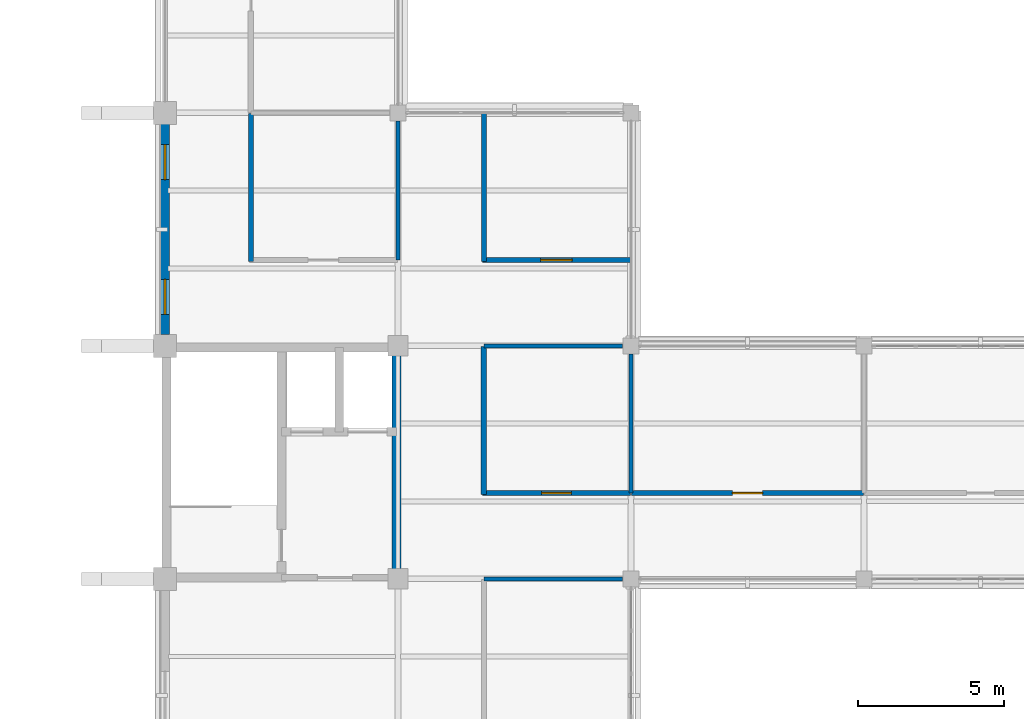
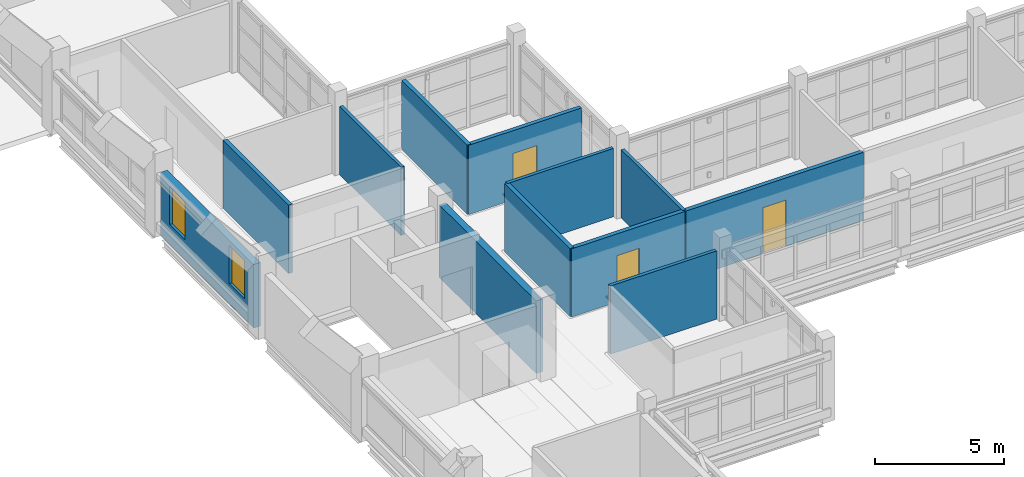
# One storey, part 67 of 92: 12 walls, 3 doors, 2 windows, 5 openings.
"""IFC4 building model written with IfcOpenShell, lengths in metres."""

from ifc_helpers import new_model, si_unit, derived_unit, direction, frame, frame_2d, origin, place, context, subcontext, project, spatial, rectangle, extrude, material, layer, layer_set, type_object, element, fill, save


model = new_model("IFC4")

# Units and contexts
model_context = context("Model", 3, precision=1e-05, world=origin(), true_north=direction((0.0, 1.0)))
body_context = subcontext(model_context, "Body", "Model", "MODEL_VIEW")
ifc_project = project(units=[si_unit("LENGTHUNIT", "METRE"), si_unit("AREAUNIT", "SQUARE_METRE"), si_unit("VOLUMEUNIT", "CUBIC_METRE"), si_unit("PLANEANGLEUNIT", "RADIAN"), si_unit("MASSUNIT", "GRAM", prefix="KILO"), derived_unit("THERMALTRANSMITTANCEUNIT", [(si_unit("MASSUNIT", "GRAM", prefix="KILO"), 1), (si_unit("TIMEUNIT", "SECOND"), -3), (si_unit("THERMODYNAMICTEMPERATUREUNIT", "KELVIN"), -1)])], contexts=[model_context])

# Site, building, storey
site_placement = place(None, origin())
site = spatial("IfcSite", under=ifc_project, at=site_placement, CompositionType="ELEMENT")
building_placement = place(site_placement, origin())
building = spatial("IfcBuilding", under=site, at=building_placement, Name="Veyamyaing Civic Hall", CompositionType="ELEMENT")
storey_placement = place(building_placement, frame((0.0, 0.0, 17.820068359375)))
storey = spatial("IfcBuildingStorey", under=building, at=storey_placement, Name="L04", CompositionType="ELEMENT", Elevation=17.820068359375)

# Wall, openings, windows
ifc_material_1 = material(Name="Precast concrete C40/50", Category="concrete")
ifc_layer_1 = layer(ifc_material_1, 0.304931640625, Name="Precast concrete C40/50")
ifc_layer_set_1 = layer_set([ifc_layer_1], Name="Precast concrete C40/50")
wall_type_1 = type_object("IfcWallType", Name="WT-03", PredefinedType="SOLIDWALL", material=ifc_layer_set_1)
wall_1_placement = place(storey_placement, frame((104.0, 56.385009765625, 0.0), z_axis=(0.0, 0.0, 1.0), x_axis=(0.0, 1.0, 0.0)))
wall_1 = element("IfcWall", 1, at=wall_1_placement, inside=storey, type_object=wall_type_1, Name="Exterior facade wall WT-03 L04 W 14.8", PredefinedType="SOLIDWALL", context=body_context, shape_type="SweptSolid", body=[
    extrude(rectangle(XDim=7.22998046875, YDim=0.304931640625, at=frame_2d((3.614990234375, 0.0))), origin(), (0.0, 0.0, 1.0), 3.001953125),
])
opening_1_placement = place(wall_1_placement, frame((0.701416015625, 0.0, 0.949951171875)))
opening_1 = element("IfcOpeningElement", 2, at=opening_1_placement, cuts=wall_1, Name="Opening W-14", PredefinedType="OPENING", context=body_context, shape_type="SweptSolid", body=[
    extrude(rectangle(XDim=1.199951171875, YDim=1.800048828125, at=frame_2d((0.60009765625, 0.89990234375))), frame((0.0, 0.162353515625, 0.0), z_axis=(0.0, -1.0, 0.0), x_axis=(1.0, 0.0, 0.0)), (0.0, 0.0, 1.0), 0.324951171875),
])
opening_2_placement = place(wall_1_placement, frame((5.32861328125, 0.0, 0.949951171875)))
opening_2 = element("IfcOpeningElement", 3, at=opening_2_placement, cuts=wall_1, Name="Opening W-14", PredefinedType="OPENING", context=body_context, shape_type="SweptSolid", body=[
    extrude(rectangle(XDim=1.199951171875, YDim=1.800048828125, at=frame_2d((0.60009765625, 0.89990234375))), frame((0.0, 0.162353515625, 0.0), z_axis=(0.0, -1.0, 0.0), x_axis=(1.0, 0.0, 0.0)), (0.0, 0.0, 1.0), 0.324951171875),
])
ifc_material_2 = material(Name="Low-E insulated glass", Category="glass")
window_type = type_object("IfcWindowType", Name="W-14", PartitioningType="SINGLE_PANEL", PredefinedType="WINDOW", material=ifc_material_2)
window_1_placement = place(opening_1_placement, origin())
window_1 = element("IfcWindow", 4, at=window_1_placement, inside=storey, type_object=window_type, Name="Facade window W-14 L04 W 14.8.1", OverallHeight=1.800048828125, OverallWidth=1.199951171875, PartitioningType="SINGLE_PANEL", PredefinedType="WINDOW", context=body_context, shape_type="SweptSolid", body=[
    extrude(rectangle(XDim=1.199951171875, YDim=1.800048828125, at=frame_2d((0.60009765625, 0.89990234375))), frame((0.0, 0.030029296875, 0.0), z_axis=(0.0, -1.0, 0.0), x_axis=(1.0, 0.0, 0.0)), (0.0, 0.0, 1.0), 0.06005859375),
])
fill(opening_1, window_1)
window_2_placement = place(opening_2_placement, origin())
window_2 = element("IfcWindow", 5, at=window_2_placement, inside=storey, type_object=window_type, Name="Facade window W-14 L04 W 14.8.2", OverallHeight=1.800048828125, OverallWidth=1.199951171875, PartitioningType="SINGLE_PANEL", PredefinedType="WINDOW", context=body_context, shape_type="SweptSolid", body=[
    extrude(rectangle(XDim=1.199951171875, YDim=1.800048828125, at=frame_2d((0.60009765625, 0.89990234375))), frame((0.0, 0.030029296875, 0.0), z_axis=(0.0, -1.0, 0.0), x_axis=(1.0, 0.0, 0.0)), (0.0, 0.0, 1.0), 0.06005859375),
])
fill(opening_2, window_2)

# Walls
ifc_material_3 = material(Name="Concrete C40/50", Category="concrete")
ifc_layer_2 = layer(ifc_material_3, 0.300048828125, Name="Concrete C40/50")
ifc_layer_set_2 = layer_set([ifc_layer_2], Name="Concrete C40/50")
wall_type_2 = type_object("IfcWallType", Name="WT-05", PredefinedType="SHEAR", material=ifc_layer_set_2)
wall_2_placement = place(storey_placement, frame((111.949951171875, 48.239990234375, 0.0), z_axis=(0.0, 0.0, 1.0), x_axis=(0.0, 1.0, 0.0)))
element("IfcWall", 6, at=wall_2_placement, inside=storey, type_object=wall_type_2, Name="Core shear wall WT-05 CORE-6 L04.E", PredefinedType="SHEAR", context=body_context, shape_type="SweptSolid", body=[
    extrude(rectangle(XDim=7.52001953125, YDim=0.300048828125, at=frame_2d((3.760009765625, 0.0))), origin(), (0.0, 0.0, 1.0), 3.43701171875),
])
ifc_material_4 = material(Name="Gypsum board on acoustic steel stud", Category="steel")
ifc_layer_3 = layer(ifc_material_4, 0.175048828125, Name="Gypsum board on acoustic steel stud")
ifc_layer_set_3 = layer_set([ifc_layer_3], Name="Gypsum board on acoustic steel stud")
wall_type_3 = type_object("IfcWallType", Name="WT-07", PredefinedType="PARTITIONING", material=ifc_layer_set_3)
wall_3_placement = place(storey_placement, frame((106.949951171875, 58.89990234375, 0.0), z_axis=(0.0, 0.0, 1.0), x_axis=(0.0, 1.0, 0.0)))
element("IfcWall", 7, at=wall_3_placement, inside=storey, type_object=wall_type_3, Name="Corridor gallery partition WT-07 L04.25.2", PredefinedType="PARTITIONING", context=body_context, shape_type="SweptSolid", body=[
    extrude(rectangle(XDim=5.080078125, YDim=0.175048828125, at=frame_2d((2.5400390625, 0.0))), origin(), (0.0, 0.0, 1.0), 3.238037109375),
])

# Wall, opening, door
wall_4_placement = place(storey_placement, frame((114.89990234375, 58.949951171875, 0.0), z_axis=(0.0, 0.0, 1.0), x_axis=(1.0, 0.0, 0.0)))
wall_4 = element("IfcWall", 8, at=wall_4_placement, inside=storey, type_object=wall_type_3, Name="Corridor gallery partition WT-07 L04.29.1", PredefinedType="PARTITIONING", context=body_context, shape_type="SweptSolid", body=[
    extrude(rectangle(XDim=5.080078125, YDim=0.175048828125, at=frame_2d((2.5400390625, 0.0))), origin(), (0.0, 0.0, 1.0), 3.281982421875),
])
opening_3_placement = place(wall_4_placement, frame((2.0, 0.0, 0.0)))
opening_3 = element("IfcOpeningElement", 9, at=opening_3_placement, cuts=wall_4, Name="Opening D-23", PredefinedType="OPENING", context=body_context, shape_type="SweptSolid", body=[
    extrude(rectangle(XDim=1.080078125, YDim=2.199951171875, at=frame_2d((0.5400390625, 1.10009765625))), frame((0.0, 0.097412109375, 0.0), z_axis=(0.0, -1.0, 0.0), x_axis=(1.0, 0.0, 0.0)), (0.0, 0.0, 1.0), 0.195068359375),
])
ifc_material_5 = material(Name="Teak-veneered acoustic timber", Category="wood")
door_type_1 = type_object("IfcDoorType", Name="D-23", OperationType="NOTDEFINED", PredefinedType="DOOR", material=ifc_material_5)
door_1_placement = place(opening_3_placement, origin())
door_1 = element("IfcDoor", 10, at=door_1_placement, inside=storey, type_object=door_type_1, Name="Gallery office door D-23 L04.29", OperationType="SINGLE_SWING_RIGHT", OverallHeight=2.199951171875, OverallWidth=1.080078125, PredefinedType="DOOR", context=body_context, shape_type="SweptSolid", body=[
    extrude(rectangle(XDim=1.080078125, YDim=2.199951171875, at=frame_2d((0.5400390625, 1.10009765625))), frame((0.0, 0.02490234375, 0.0), z_axis=(0.0, -1.0, 0.0), x_axis=(1.0, 0.0, 0.0)), (0.0, 0.0, 1.0), 0.050048828125),
])
fill(opening_3, door_1)

# Walls
wall_5_placement = place(storey_placement, frame((114.949951171875, 58.89990234375, 0.0), z_axis=(0.0, 0.0, 1.0), x_axis=(0.0, 1.0, 0.0)))
element("IfcWall", 11, at=wall_5_placement, inside=storey, type_object=wall_type_3, Name="Corridor gallery partition WT-07 L04.29.2", PredefinedType="PARTITIONING", context=body_context, shape_type="SweptSolid", body=[
    extrude(rectangle(XDim=5.080078125, YDim=0.175048828125, at=frame_2d((2.5400390625, 0.0))), origin(), (0.0, 0.0, 1.0), 3.281982421875),
])
ifc_material_6 = material(Name="Gypsum board on steel stud", Category="steel")
ifc_layer_4 = layer(ifc_material_6, 0.14990234375, Name="Gypsum board on steel stud")
ifc_layer_set_4 = layer_set([ifc_layer_4], Name="Gypsum board on steel stud")
wall_type_4 = type_object("IfcWallType", Name="WT-08", PredefinedType="PARTITIONING", material=ifc_layer_set_4)
for number, where, z_axis, x_axis, name in (
    (12, (112.0, 58.949951171875, 0.0), (0.0, 0.0, 1.0), (0.0, 1.0, 0.0), "Gallery office end partition WT-08 L04.25.2"),
    (13, (114.949951171875, 48.0, 0.0), (0.0, 0.0, 1.0), (1.0, 0.0, 0.0), "Gallery office end partition WT-08 L04.27.1"),
):
    element("IfcWall", number, at=place(storey_placement, frame(where, z_axis=z_axis, x_axis=x_axis)), inside=storey, type_object=wall_type_4, Name=name, PredefinedType="PARTITIONING", context=body_context, shape_type="SweptSolid", body=[
        extrude(rectangle(XDim=4.76513671875, YDim=0.14990234375, at=frame_2d((2.382568359375, 0.0))), origin(), (0.0, 0.0, 1.0), 3.23193359375),
    ])
wall_6_placement = place(storey_placement, frame((114.949951171875, 56.0, 0.0), z_axis=(0.0, 0.0, 1.0), x_axis=(1.0, 0.0, 0.0)))
element("IfcWall", 14, at=wall_6_placement, inside=storey, type_object=wall_type_4, Name="Gallery office end partition WT-08 L04.28.1", PredefinedType="PARTITIONING", context=body_context, shape_type="SweptSolid", body=[
    extrude(rectangle(XDim=4.76513671875, YDim=0.14990234375, at=frame_2d((2.382568359375, 0.0))), origin(), (0.0, 0.0, 1.0), 3.238037109375),
])
wall_7_placement = place(storey_placement, frame((120.0, 50.949951171875, 0.0), z_axis=(0.0, 0.0, 1.0), x_axis=(0.0, 1.0, 0.0)))
element("IfcWall", 15, at=wall_7_placement, inside=storey, type_object=wall_type_4, Name="Gallery office end partition WT-08 L04.28.2", PredefinedType="PARTITIONING", context=body_context, shape_type="SweptSolid", body=[
    extrude(rectangle(XDim=4.76513671875, YDim=0.14990234375, at=frame_2d((2.382568359375, 0.0))), origin(), (0.0, 0.0, 1.0), 3.23193359375),
])

# Wall, opening, door
ifc_material_7 = material(Name="Gypsum board on double acoustic stud")
ifc_layer_5 = layer(ifc_material_7, 0.18505859375, Name="Gypsum board on double acoustic stud")
ifc_layer_set_5 = layer_set([ifc_layer_5], Name="Gypsum board on double acoustic stud")
wall_type_5 = type_object("IfcWallType", Name="WT-19", PredefinedType="PARTITIONING", material=ifc_layer_set_5)
wall_8_placement = place(storey_placement, frame((114.89990234375, 50.949951171875, 0.0), z_axis=(0.0, 0.0, 1.0), x_axis=(1.0, 0.0, 0.0)))
wall_8 = element("IfcWall", 16, at=wall_8_placement, inside=storey, type_object=wall_type_5, Name="Corridor gallery partition WT-19 L04.28.1", PredefinedType="PARTITIONING", context=body_context, shape_type="SweptSolid", body=[
    extrude(rectangle(XDim=5.080078125, YDim=0.18505859375, at=frame_2d((2.5400390625, 0.0))), origin(), (0.0, 0.0, 1.0), 3.23193359375),
])
opening_4_placement = place(wall_8_placement, frame((2.030029296875, 0.0, 0.0)))
opening_4 = element("IfcOpeningElement", 17, at=opening_4_placement, cuts=wall_8, Name="Opening D-19", PredefinedType="OPENING", context=body_context, shape_type="SweptSolid", body=[
    extrude(rectangle(XDim=1.02001953125, YDim=2.199951171875, at=frame_2d((0.510009765625, 1.10009765625))), frame((0.0, 0.1025390625, 0.0), z_axis=(0.0, -1.0, 0.0), x_axis=(1.0, 0.0, 0.0)), (0.0, 0.0, 1.0), 0.205078125),
])
door_type_2 = type_object("IfcDoorType", Name="D-19", OperationType="NOTDEFINED", PredefinedType="DOOR", material=ifc_material_5)
door_2_placement = place(opening_4_placement, origin())
door_2 = element("IfcDoor", 18, at=door_2_placement, inside=storey, type_object=door_type_2, Name="Gallery office door D-19 L04.28", OperationType="SINGLE_SWING_LEFT", OverallHeight=2.199951171875, OverallWidth=1.02001953125, PredefinedType="DOOR", context=body_context, shape_type="SweptSolid", body=[
    extrude(rectangle(XDim=1.02001953125, YDim=2.199951171875, at=frame_2d((0.510009765625, 1.10009765625))), frame((0.0, 0.02490234375, 0.0), z_axis=(0.0, -1.0, 0.0), x_axis=(1.0, 0.0, 0.0)), (0.0, 0.0, 1.0), 0.050048828125),
])
fill(opening_4, door_2)

# Wall
wall_9_placement = place(storey_placement, frame((114.949951171875, 50.89990234375, 0.0), z_axis=(0.0, 0.0, 1.0), x_axis=(0.0, 1.0, 0.0)))
element("IfcWall", 19, at=wall_9_placement, inside=storey, type_object=wall_type_5, Name="Corridor gallery partition WT-19 L04.28.2", PredefinedType="PARTITIONING", context=body_context, shape_type="SweptSolid", body=[
    extrude(rectangle(XDim=5.080078125, YDim=0.18505859375, at=frame_2d((2.5400390625, 0.0))), origin(), (0.0, 0.0, 1.0), 3.238037109375),
])

# Wall, opening, door
wall_10_placement = place(storey_placement, frame((120.02001953125, 50.949951171875, 0.0), z_axis=(0.0, 0.0, 1.0), x_axis=(1.0, 0.0, 0.0)))
wall_10 = element("IfcWall", 20, at=wall_10_placement, inside=storey, type_object=wall_type_5, Name="Corridor gallery partition WT-19 L04.30.1", PredefinedType="PARTITIONING", context=body_context, shape_type="SweptSolid", body=[
    extrude(rectangle(XDim=7.9599609375, YDim=0.18505859375, at=frame_2d((3.97998046875, 0.0))), origin(), (0.0, 0.0, 1.0), 3.23193359375),
])
opening_5_placement = place(wall_10_placement, frame((3.4599609375, 0.0, 0.0)))
opening_5 = element("IfcOpeningElement", 21, at=opening_5_placement, cuts=wall_10, Name="Opening D-24", PredefinedType="OPENING", context=body_context, shape_type="SweptSolid", body=[
    extrude(rectangle(XDim=1.0400390625, YDim=2.179931640625, at=frame_2d((0.52001953125, 1.08984375))), frame((0.0, 0.1025390625, 0.0), z_axis=(0.0, -1.0, 0.0), x_axis=(1.0, 0.0, 0.0)), (0.0, 0.0, 1.0), 0.205078125),
])
door_type_3 = type_object("IfcDoorType", Name="D-24", OperationType="NOTDEFINED", PredefinedType="DOOR", material=ifc_material_5)
door_3_placement = place(opening_5_placement, origin())
door_3 = element("IfcDoor", 22, at=door_3_placement, inside=storey, type_object=door_type_3, Name="Gallery office door D-24 L04.30", OperationType="SINGLE_SWING_LEFT", OverallHeight=2.179931640625, OverallWidth=1.0400390625, PredefinedType="DOOR", context=body_context, shape_type="SweptSolid", body=[
    extrude(rectangle(XDim=1.0400390625, YDim=2.179931640625, at=frame_2d((0.52001953125, 1.08984375))), frame((0.0, 0.02490234375, 0.0), z_axis=(0.0, -1.0, 0.0), x_axis=(1.0, 0.0, 0.0)), (0.0, 0.0, 1.0), 0.050048828125),
])
fill(opening_5, door_3)

save(model, "model.ifc")
